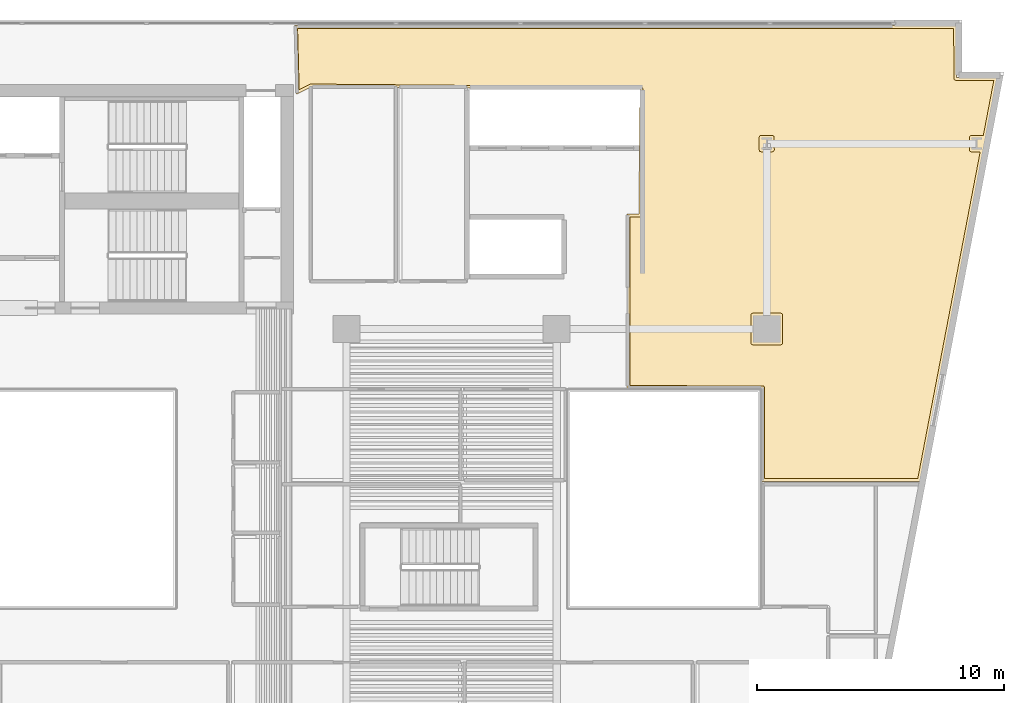
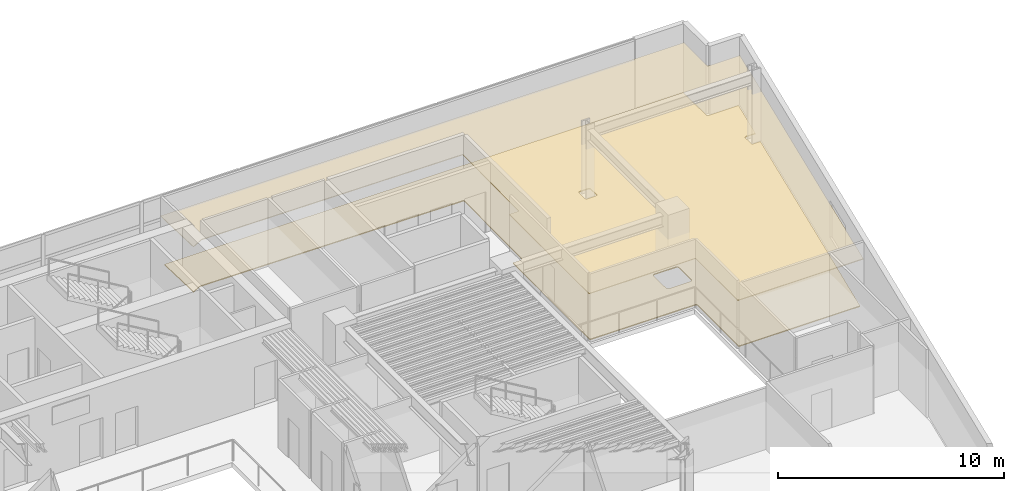
# One storey, part 13 of 13: 2 coverings.
"""IFC4 building model written with IfcOpenShell, lengths in metres."""

import ifcopenshell
import ifcopenshell.guid

model = None  # the IFC model being written
_history = None  # IfcOwnerHistory: only IFC2X3 demands one
_inside = {}  # id of a spatial element -> (the spatial element, [elements in it])
_under = {}  # id of a project, library or spatial element -> (it, [spatial elements below it])
_declared = {}  # id of a project -> (the project, [libraries it declares])
_typed = {}  # id of a type object -> (the type object, [elements of that type])
_made_of = {}  # id of a material, layer set ... -> (it, [elements and type objects made of it])


def new_model(schema):
    """Start an empty IFC model of exactly this schema.

    Asked for "IFC4X3", IfcOpenShell would pick the latest addendum, in which some entities
    have other attributes; the version numbers below select the first issue.
    IFC2X3 requires an IfcOwnerHistory on every rooted entity: one is made here for all.
    """
    global model, _history
    if schema == "IFC4X3":
        model = ifcopenshell.file(schema_version=(4, 3, 0, 0))
    else:
        model = ifcopenshell.file(schema=schema)
    _inside.clear()
    _under.clear()
    _declared.clear()
    _typed.clear()
    _made_of.clear()
    _history = None
    if model.schema == "IFC2X3":
        org = make("IfcOrganization", Name="unknown")
        user = make(
            "IfcPersonAndOrganization",
            ThePerson=make("IfcPerson", FamilyName="unknown"),
            TheOrganization=org,
        )
        app = make(
            "IfcApplication",
            ApplicationDeveloper=org,
            Version="unknown",
            ApplicationFullName="unknown",
            ApplicationIdentifier="unknown",
        )
        _history = make(
            "IfcOwnerHistory",
            OwningUser=user,
            OwningApplication=app,
            ChangeAction="ADDED",
            CreationDate=0,
        )
    return model


def make(cls, **values):
    """One entity of the class cls with the attributes given. An attribute that is None is left unset."""
    return model.create_entity(
        cls, **{name: value for name, value in values.items() if value is not None}
    )


def rooted(cls, **values):
    """An entity with a GlobalId (a new one), such as an element, a storey or a relation."""
    return make(cls, GlobalId=ifcopenshell.guid.new(), OwnerHistory=_history, **values)


def si_unit(unit_type, name, prefix=None):
    """IfcSIUnit, for example si_unit("LENGTHUNIT", "METRE", prefix="MILLI")."""
    return make("IfcSIUnit", UnitType=unit_type, Prefix=prefix, Name=name)


def assignment(units):
    """IfcUnitAssignment: the units of a project."""
    return None if units is None else make("IfcUnitAssignment", Units=units)


def point(xyz):
    """IfcCartesianPoint."""
    return None if xyz is None else make("IfcCartesianPoint", Coordinates=xyz)


def direction(xyz):
    """IfcDirection."""
    return None if xyz is None else make("IfcDirection", DirectionRatios=xyz)


def frame(location, z_axis=None, x_axis=None):
    """IfcAxis2Placement3D, a coordinate frame: its origin and axes. An axis left out is left unset."""
    return make(
        "IfcAxis2Placement3D",
        Location=point(location),
        Axis=direction(z_axis),
        RefDirection=direction(x_axis),
    )


def origin():
    """The frame at (0, 0, 0) with its axes left unset."""
    return frame((0.0, 0.0, 0.0))


def place(relative_to, where):
    """IfcLocalPlacement: puts the frame where relative to a parent placement (None: the world)."""
    return make(
        "IfcLocalPlacement", PlacementRelTo=relative_to, RelativePlacement=where
    )


def context(
    kind, dimensions, precision=None, world=None, true_north=None, identifier=None
):
    """IfcGeometricRepresentationContext, for example the 3D "Model" context."""
    return make(
        "IfcGeometricRepresentationContext",
        ContextIdentifier=identifier,
        ContextType=kind,
        CoordinateSpaceDimension=dimensions,
        Precision=precision,
        WorldCoordinateSystem=world,
        TrueNorth=true_north,
    )


def subcontext(parent, identifier, kind, view, scale=None):
    """IfcGeometricRepresentationSubContext, for example "Body" below "Model"."""
    return make(
        "IfcGeometricRepresentationSubContext",
        ContextIdentifier=identifier,
        ContextType=kind,
        ParentContext=parent,
        TargetScale=scale,
        TargetView=view,
    )


def project(units=None, contexts=None):
    """IfcProject with its units and contexts."""
    return rooted(
        "IfcProject",
        Name="project",
        RepresentationContexts=contexts,
        UnitsInContext=assignment(units),
    )


def spatial(cls, under=None, at=None, **own):
    """A site, building, storey or space (cls), placed at a placement, below another one or the project."""
    s = rooted(cls, ObjectPlacement=at, **own)
    if under is not None:
        _under.setdefault(under.id(), (under, []))[1].append(s)
    return s


def polyline(points):
    """IfcPolyline through the points."""
    return make("IfcPolyline", Points=[point(p) for p in points])


def outline(outer, holes=None, kind="AREA"):
    """IfcArbitraryClosedProfileDef: a profile drawn as a closed curve; with holes, ...WithVoids."""
    if holes is None:
        return make("IfcArbitraryClosedProfileDef", ProfileType=kind, OuterCurve=outer)
    return make(
        "IfcArbitraryProfileDefWithVoids",
        ProfileType=kind,
        OuterCurve=outer,
        InnerCurves=holes,
    )


def extrude(swept, where, along, depth):
    """IfcExtrudedAreaSolid: the profile swept, set in the frame where, extruded along a direction by depth."""
    return make(
        "IfcExtrudedAreaSolid",
        SweptArea=swept,
        Position=where,
        ExtrudedDirection=direction(along),
        Depth=depth,
    )


def shape(context_of_items, identifier, shape_type, items):
    """IfcShapeRepresentation: the items that make up one representation, for example the "Body"."""
    return make(
        "IfcShapeRepresentation",
        ContextOfItems=context_of_items,
        RepresentationIdentifier=identifier,
        RepresentationType=shape_type,
        Items=items,
    )


def material(Name=None, Category=None):
    """IfcMaterial."""
    return make("IfcMaterial", Name=Name, Category=Category)


def layer(
    of_material, thickness, ventilated=None, Name=None, Category=None, Priority=None
):
    """IfcMaterialLayer: one layer of a wall or slab, of a material (None: an air gap)."""
    return make(
        "IfcMaterialLayer",
        Material=of_material,
        LayerThickness=thickness,
        IsVentilated=ventilated,
        Name=Name,
        Category=Category,
        Priority=Priority,
    )


def layer_set(layers, Name=None):
    """IfcMaterialLayerSet."""
    return make("IfcMaterialLayerSet", MaterialLayers=layers, LayerSetName=Name)


def made_of(thing, what):
    """Note that an element or type object is made of a material, layer set ...; save() writes the relation."""
    if what is not None:
        _made_of.setdefault(what.id(), (what, []))[1].append(thing)
    return thing


def type_object(cls, material=None, **own):
    """A type object (cls), such as IfcWallType, which elements share."""
    return made_of(rooted(cls, **own), material)


def element(
    cls,
    number,
    at=None,
    inside=None,
    cuts=None,
    type_object=None,
    material=None,
    context=None,
    identifier="Body",
    shape_type=None,
    held_by="IfcProductDefinitionShape",
    body=None,
    shapes=None,
    **own,
):
    """One element of the class cls, such as IfcWall. Its Tag is "e" and its number.

    at: its placement. inside: the storey or other place that contains it. cuts: it is an
    opening in that element (IfcRelVoidsElement). A single representation is given by context,
    identifier, shape_type and body (its items); several are given by shapes. held_by: the class
    of the entity that holds the representations. save() writes the other relations.
    """
    e = rooted(cls, Tag="e%d" % number, ObjectPlacement=at, **own)
    if body is not None:
        shapes = [shape(context, identifier, shape_type, body)]
    if shapes is not None:
        e.Representation = make(held_by, Representations=shapes)
    if inside is not None:
        _inside.setdefault(inside.id(), (inside, []))[1].append(e)
    if cuts is not None:
        rooted(
            "IfcRelVoidsElement", RelatingBuildingElement=cuts, RelatedOpeningElement=e
        )
    if type_object is not None:
        _typed.setdefault(type_object.id(), (type_object, []))[1].append(e)
    return made_of(e, material)


def aggregate(whole, parts):
    """IfcRelAggregates: a whole, such as a stair, and the parts it consists of."""
    return rooted("IfcRelAggregates", RelatingObject=whole, RelatedObjects=parts)


def save(model, path):
    """Write the relations noted so far, then the file.

    IfcRelAggregates (storeys below a building ...), IfcRelContainedInSpatialStructure (elements
    in a storey), IfcRelDefinesByType, IfcRelAssociatesMaterial and IfcRelDeclares: one each for
    every whole, place, type object, material and project.
    """
    for whole, parts in _under.values():
        aggregate(whole, parts)
    for where, things in _inside.values():
        rooted(
            "IfcRelContainedInSpatialStructure",
            RelatedElements=things,
            RelatingStructure=where,
        )
    for kind, things in _typed.values():
        rooted("IfcRelDefinesByType", RelatedObjects=things, RelatingType=kind)
    for what, things in _made_of.values():
        rooted("IfcRelAssociatesMaterial", RelatedObjects=things, RelatingMaterial=what)
    for by, libraries in _declared.values():
        rooted("IfcRelDeclares", RelatingContext=by, RelatedDefinitions=libraries)
    model.write(path)


model = new_model("IFC4")

# Units and contexts
model_context = context("Model", 3, precision=1e-05, world=origin(), true_north=direction((0.0, 1.0)))
body_context = subcontext(model_context, "Body", "Model", "MODEL_VIEW")
ifc_project = project(units=[si_unit("LENGTHUNIT", "METRE"), si_unit("AREAUNIT", "SQUARE_METRE"), si_unit("VOLUMEUNIT", "CUBIC_METRE"), si_unit("PLANEANGLEUNIT", "RADIAN"), si_unit("MASSUNIT", "GRAM", prefix="KILO")], contexts=[model_context])

# Site, building, storey
site_placement = place(None, origin())
site = spatial("IfcSite", under=ifc_project, at=site_placement, CompositionType="ELEMENT")
building_placement = place(site_placement, origin())
building = spatial("IfcBuilding", under=site, at=building_placement, Name="Caeloran Harvest Quay", CompositionType="ELEMENT")
storey_placement = place(building_placement, frame((0.0, 0.0, 162.75)))
storey = spatial("IfcBuildingStorey", under=building, at=storey_placement, Name="L38", CompositionType="ELEMENT", Elevation=162.75)

# Coverings
ifc_material_1 = material(Name="Perforated Mineral-Fibre Acoustic Ceiling Tile", Category="ceiling")
ifc_layer_1 = layer(ifc_material_1, 0.0400390625, Name="Perforated Mineral-Fibre Acoustic Ceiling Tile")
ifc_layer_set_1 = layer_set([ifc_layer_1], Name="Perforated Mineral-Fibre Acoustic Ceiling Tile")
covering_type_1 = type_object("IfcCoveringType", Name="COV-CEILING-ACOUSTIC", PredefinedType="CEILING", material=ifc_layer_set_1)
covering_1_placement = place(storey_placement, frame((0.0, 0.0, 2.60009765625)))
element("IfcCovering", 1, at=covering_1_placement, inside=storey, type_object=covering_type_1, Name="Hospitality Catering Kitchen 12 Acoustic Ceiling", PredefinedType="CEILING", context=body_context, shape_type="SweptSolid", body=[
    extrude(outline(polyline([(23.39990234375, 43.280029296875), (50.179931640625, 43.280029296875), (50.179931640625, 41.179931640625), (51.8330078125, 41.179931640625), (48.71240234375, 24.840087890625), (42.2900390625, 24.840087890625), (42.2900390625, 28.590087890625), (36.840087890625, 28.590087890625), (36.840087890625, 35.659912109375), (37.330322265625, 35.659912109375), (37.36962890625, 40.690185546875), (24.059326171875, 40.789794921875), (23.4716796875, 40.4912109375), (23.39990234375, 43.280029296875)])), origin(), (0.0, 0.0, 1.0), 0.039794921875),
])
ifc_material_2 = material(Name="Calcium-Sulphate Raised Access Floor and Terrazzo Finish", Category="flooring")
ifc_layer_2 = layer(ifc_material_2, 0.050048828125, Name="Calcium-Sulphate Raised Access Floor and Terrazzo Finish")
ifc_layer_set_2 = layer_set([ifc_layer_2], Name="Calcium-Sulphate Raised Access Floor and Terrazzo Finish")
covering_type_2 = type_object("IfcCoveringType", Name="COV-FLOOR-RAISED", PredefinedType="FLOORING", material=ifc_layer_set_2)
covering_2_placement = place(storey_placement, origin())
element("IfcCovering", 2, at=covering_2_placement, inside=storey, type_object=covering_type_2, Name="Hospitality Catering Kitchen 12 Raised Finish Flooring", PredefinedType="FLOORING", context=body_context, shape_type="SweptSolid", body=[
    extrude(outline(polyline([(24.050537109375, 40.909912109375), (23.586669921875, 40.684326171875), (23.52294921875, 43.159912109375), (50.06005859375, 43.159912109375), (50.078125, 41.089111328125), (50.139892578125, 41.06005859375), (51.68798828125, 41.06005859375), (51.260986328125, 38.82421875), (50.76513671875, 38.83154296875), (50.694580078125, 38.767578125), (50.70654296875, 38.20361328125), (50.76513671875, 38.16845703125), (51.135498046875, 38.16796875), (48.61328125, 24.9599609375), (42.409912109375, 24.9599609375), (42.409912109375, 28.6298828125), (42.37451171875, 28.696533203125), (36.9599609375, 28.7099609375), (36.9599609375, 35.5400390625), (37.377685546875, 35.540283203125), (37.44970703125, 35.611572265625), (37.489990234375, 40.7294921875), (37.455078125, 40.796142578125), (24.050537109375, 40.909912109375)]), holes=[polyline([(41.93505859375, 31.64501953125), (41.87841796875, 31.62158203125), (41.85498046875, 31.56494140625), (41.85498046875, 30.43505859375), (41.87841796875, 30.37841796875), (41.93505859375, 30.35498046875), (43.06494140625, 30.35498046875), (43.12158203125, 30.37841796875), (43.14501953125, 30.43505859375), (43.14501953125, 31.56494140625), (43.12158203125, 31.62158203125), (43.06494140625, 31.64501953125), (41.93505859375, 31.64501953125)]), polyline([(42.806884765625, 38.248046875), (42.788818359375, 38.802734375), (42.73486328125, 38.83154296875), (42.27294921875, 38.83203125), (42.21630859375, 38.80859375), (42.193115234375, 38.751953125), (42.193115234375, 38.248046875), (42.21630859375, 38.19140625), (42.27294921875, 38.16796875), (42.72705078125, 38.16796875), (42.78369140625, 38.19140625), (42.806884765625, 38.248046875)])]), origin(), (0.0, 0.0, 1.0), 0.050048828125),
])

save(model, "model.ifc")
